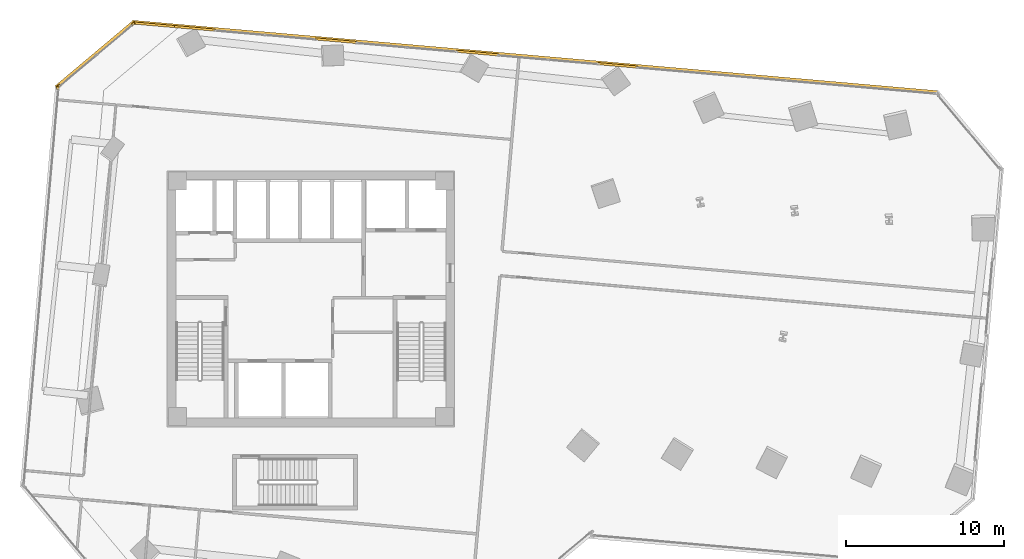
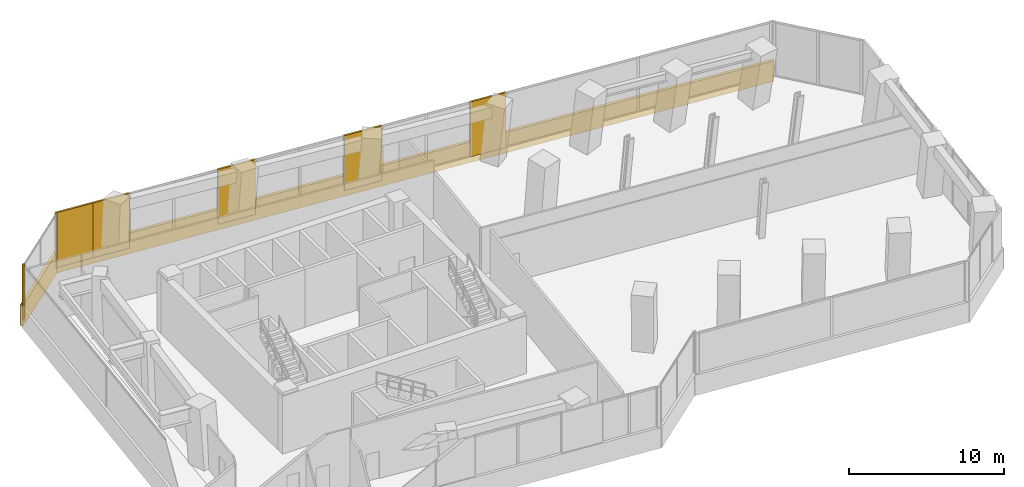
# One storey, part 24 of 24: 10 coverings.
"""IFC4 building model written with IfcOpenShell, lengths in metres."""

import ifcopenshell
import ifcopenshell.guid

model = None  # the IFC model being written
_history = None  # IfcOwnerHistory: only IFC2X3 demands one
_inside = {}  # id of a spatial element -> (the spatial element, [elements in it])
_under = {}  # id of a project, library or spatial element -> (it, [spatial elements below it])
_declared = {}  # id of a project -> (the project, [libraries it declares])
_typed = {}  # id of a type object -> (the type object, [elements of that type])
_made_of = {}  # id of a material, layer set ... -> (it, [elements and type objects made of it])


def new_model(schema):
    """Start an empty IFC model of exactly this schema.

    Asked for "IFC4X3", IfcOpenShell would pick the latest addendum, in which some entities
    have other attributes; the version numbers below select the first issue.
    IFC2X3 requires an IfcOwnerHistory on every rooted entity: one is made here for all.
    """
    global model, _history
    if schema == "IFC4X3":
        model = ifcopenshell.file(schema_version=(4, 3, 0, 0))
    else:
        model = ifcopenshell.file(schema=schema)
    _inside.clear()
    _under.clear()
    _declared.clear()
    _typed.clear()
    _made_of.clear()
    _history = None
    if model.schema == "IFC2X3":
        org = make("IfcOrganization", Name="unknown")
        user = make(
            "IfcPersonAndOrganization",
            ThePerson=make("IfcPerson", FamilyName="unknown"),
            TheOrganization=org,
        )
        app = make(
            "IfcApplication",
            ApplicationDeveloper=org,
            Version="unknown",
            ApplicationFullName="unknown",
            ApplicationIdentifier="unknown",
        )
        _history = make(
            "IfcOwnerHistory",
            OwningUser=user,
            OwningApplication=app,
            ChangeAction="ADDED",
            CreationDate=0,
        )
    return model


def make(cls, **values):
    """One entity of the class cls with the attributes given. An attribute that is None is left unset."""
    return model.create_entity(
        cls, **{name: value for name, value in values.items() if value is not None}
    )


def rooted(cls, **values):
    """An entity with a GlobalId (a new one), such as an element, a storey or a relation."""
    return make(cls, GlobalId=ifcopenshell.guid.new(), OwnerHistory=_history, **values)


def si_unit(unit_type, name, prefix=None):
    """IfcSIUnit, for example si_unit("LENGTHUNIT", "METRE", prefix="MILLI")."""
    return make("IfcSIUnit", UnitType=unit_type, Prefix=prefix, Name=name)


def assignment(units):
    """IfcUnitAssignment: the units of a project."""
    return None if units is None else make("IfcUnitAssignment", Units=units)


def point(xyz):
    """IfcCartesianPoint."""
    return None if xyz is None else make("IfcCartesianPoint", Coordinates=xyz)


def direction(xyz):
    """IfcDirection."""
    return None if xyz is None else make("IfcDirection", DirectionRatios=xyz)


def frame(location, z_axis=None, x_axis=None):
    """IfcAxis2Placement3D, a coordinate frame: its origin and axes. An axis left out is left unset."""
    return make(
        "IfcAxis2Placement3D",
        Location=point(location),
        Axis=direction(z_axis),
        RefDirection=direction(x_axis),
    )


def frame_2d(location, x_axis=None):
    """IfcAxis2Placement2D, a coordinate frame in the plane: its origin and x axis."""
    return make(
        "IfcAxis2Placement2D", Location=point(location), RefDirection=direction(x_axis)
    )


def origin():
    """The frame at (0, 0, 0) with its axes left unset."""
    return frame((0.0, 0.0, 0.0))


def origin_2d():
    """The frame at (0, 0) in the plane with its x axis left unset."""
    return frame_2d((0.0, 0.0))


def place(relative_to, where):
    """IfcLocalPlacement: puts the frame where relative to a parent placement (None: the world)."""
    return make(
        "IfcLocalPlacement", PlacementRelTo=relative_to, RelativePlacement=where
    )


def context(
    kind, dimensions, precision=None, world=None, true_north=None, identifier=None
):
    """IfcGeometricRepresentationContext, for example the 3D "Model" context."""
    return make(
        "IfcGeometricRepresentationContext",
        ContextIdentifier=identifier,
        ContextType=kind,
        CoordinateSpaceDimension=dimensions,
        Precision=precision,
        WorldCoordinateSystem=world,
        TrueNorth=true_north,
    )


def subcontext(parent, identifier, kind, view, scale=None):
    """IfcGeometricRepresentationSubContext, for example "Body" below "Model"."""
    return make(
        "IfcGeometricRepresentationSubContext",
        ContextIdentifier=identifier,
        ContextType=kind,
        ParentContext=parent,
        TargetScale=scale,
        TargetView=view,
    )


def project(units=None, contexts=None):
    """IfcProject with its units and contexts."""
    return rooted(
        "IfcProject",
        Name="project",
        RepresentationContexts=contexts,
        UnitsInContext=assignment(units),
    )


def spatial(cls, under=None, at=None, **own):
    """A site, building, storey or space (cls), placed at a placement, below another one or the project."""
    s = rooted(cls, ObjectPlacement=at, **own)
    if under is not None:
        _under.setdefault(under.id(), (under, []))[1].append(s)
    return s


def profile(cls, at=None, kind="AREA", **sizes):
    """A parametric profile (cls). Its sizes go by their IFC names, for example OverallWidth=200.0."""
    return make(cls, ProfileType=kind, Position=at, **sizes)


def rectangle(**sizes):
    """IfcRectangleProfileDef."""
    return profile("IfcRectangleProfileDef", **sizes)


def extrude(swept, where, along, depth):
    """IfcExtrudedAreaSolid: the profile swept, set in the frame where, extruded along a direction by depth."""
    return make(
        "IfcExtrudedAreaSolid",
        SweptArea=swept,
        Position=where,
        ExtrudedDirection=direction(along),
        Depth=depth,
    )


def shape(context_of_items, identifier, shape_type, items):
    """IfcShapeRepresentation: the items that make up one representation, for example the "Body"."""
    return make(
        "IfcShapeRepresentation",
        ContextOfItems=context_of_items,
        RepresentationIdentifier=identifier,
        RepresentationType=shape_type,
        Items=items,
    )


def source(mapping_origin, context_of_items, identifier, shape_type, items):
    """IfcRepresentationMap: a shape defined once, which mapped items show again and again."""
    return make(
        "IfcRepresentationMap",
        MappingOrigin=mapping_origin,
        MappedRepresentation=shape(context_of_items, identifier, shape_type, items),
    )


def transform(
    local_origin,
    x_axis=None,
    y_axis=None,
    z_axis=None,
    scale=None,
    scale2=None,
    scale3=None,
    uniform=True,
):
    """IfcCartesianTransformationOperator3D, or its non-uniform kind. x_axis, y_axis, z_axis: its Axis1, 2, 3."""
    if uniform:
        return make(
            "IfcCartesianTransformationOperator3D",
            Axis1=direction(x_axis),
            Axis2=direction(y_axis),
            LocalOrigin=point(local_origin),
            Scale=scale,
            Axis3=direction(z_axis),
        )
    return make(
        "IfcCartesianTransformationOperator3DnonUniform",
        Axis1=direction(x_axis),
        Axis2=direction(y_axis),
        LocalOrigin=point(local_origin),
        Scale=scale,
        Axis3=direction(z_axis),
        Scale2=scale2,
        Scale3=scale3,
    )


def mapped(mapping_source, mapping_target):
    """IfcMappedItem: shows the shape of a source again, moved by a transform."""
    return make(
        "IfcMappedItem", MappingSource=mapping_source, MappingTarget=mapping_target
    )


def material(Name=None, Category=None):
    """IfcMaterial."""
    return make("IfcMaterial", Name=Name, Category=Category)


def layer(
    of_material, thickness, ventilated=None, Name=None, Category=None, Priority=None
):
    """IfcMaterialLayer: one layer of a wall or slab, of a material (None: an air gap)."""
    return make(
        "IfcMaterialLayer",
        Material=of_material,
        LayerThickness=thickness,
        IsVentilated=ventilated,
        Name=Name,
        Category=Category,
        Priority=Priority,
    )


def layer_set(layers, Name=None):
    """IfcMaterialLayerSet."""
    return make("IfcMaterialLayerSet", MaterialLayers=layers, LayerSetName=Name)


def made_of(thing, what):
    """Note that an element or type object is made of a material, layer set ...; save() writes the relation."""
    if what is not None:
        _made_of.setdefault(what.id(), (what, []))[1].append(thing)
    return thing


def type_object(cls, material=None, **own):
    """A type object (cls), such as IfcWallType, which elements share."""
    return made_of(rooted(cls, **own), material)


def element(
    cls,
    number,
    at=None,
    inside=None,
    cuts=None,
    type_object=None,
    material=None,
    context=None,
    identifier="Body",
    shape_type=None,
    held_by="IfcProductDefinitionShape",
    body=None,
    shapes=None,
    **own,
):
    """One element of the class cls, such as IfcWall. Its Tag is "e" and its number.

    at: its placement. inside: the storey or other place that contains it. cuts: it is an
    opening in that element (IfcRelVoidsElement). A single representation is given by context,
    identifier, shape_type and body (its items); several are given by shapes. held_by: the class
    of the entity that holds the representations. save() writes the other relations.
    """
    e = rooted(cls, Tag="e%d" % number, ObjectPlacement=at, **own)
    if body is not None:
        shapes = [shape(context, identifier, shape_type, body)]
    if shapes is not None:
        e.Representation = make(held_by, Representations=shapes)
    if inside is not None:
        _inside.setdefault(inside.id(), (inside, []))[1].append(e)
    if cuts is not None:
        rooted(
            "IfcRelVoidsElement", RelatingBuildingElement=cuts, RelatedOpeningElement=e
        )
    if type_object is not None:
        _typed.setdefault(type_object.id(), (type_object, []))[1].append(e)
    return made_of(e, material)


def aggregate(whole, parts):
    """IfcRelAggregates: a whole, such as a stair, and the parts it consists of."""
    return rooted("IfcRelAggregates", RelatingObject=whole, RelatedObjects=parts)


def save(model, path):
    """Write the relations noted so far, then the file.

    IfcRelAggregates (storeys below a building ...), IfcRelContainedInSpatialStructure (elements
    in a storey), IfcRelDefinesByType, IfcRelAssociatesMaterial and IfcRelDeclares: one each for
    every whole, place, type object, material and project.
    """
    for whole, parts in _under.values():
        aggregate(whole, parts)
    for where, things in _inside.values():
        rooted(
            "IfcRelContainedInSpatialStructure",
            RelatedElements=things,
            RelatingStructure=where,
        )
    for kind, things in _typed.values():
        rooted("IfcRelDefinesByType", RelatedObjects=things, RelatingType=kind)
    for what, things in _made_of.values():
        rooted("IfcRelAssociatesMaterial", RelatedObjects=things, RelatingMaterial=what)
    for by, libraries in _declared.values():
        rooted("IfcRelDeclares", RelatingContext=by, RelatedDefinitions=libraries)
    model.write(path)


model = new_model("IFC4")

# Units and contexts
model_context = context("Model", 3, precision=1e-05, world=origin(), true_north=direction((0.0, 1.0)))
body_context = subcontext(model_context, "Body", "Model", "MODEL_VIEW")
ifc_project = project(units=[si_unit("LENGTHUNIT", "METRE"), si_unit("AREAUNIT", "SQUARE_METRE"), si_unit("VOLUMEUNIT", "CUBIC_METRE"), si_unit("PLANEANGLEUNIT", "RADIAN"), si_unit("MASSUNIT", "GRAM", prefix="KILO")], contexts=[model_context])

# Site, building, storey
site_placement = place(None, origin())
site = spatial("IfcSite", under=ifc_project, at=site_placement, CompositionType="ELEMENT")
building_placement = place(site_placement, origin())
building = spatial("IfcBuilding", under=site, at=building_placement, Name="Torre Montelarca", CompositionType="ELEMENT")
storey_placement = place(building_placement, frame((0.0, 0.0, 52.0)))
storey = spatial("IfcBuildingStorey", under=building, at=storey_placement, Name="L11", CompositionType="ELEMENT", Elevation=52.0)

# Coverings
ifc_material = material(Name="Bush-hammered warm white precast concrete C45/55", Category="concrete")
ifc_layer = layer(ifc_material, 0.139892578125, Name="Bush-hammered warm white precast concrete C45/55", Category="concrete")
ifc_layer_set = layer_set([ifc_layer], Name="Bush-hammered warm white precast concrete C45/55")
covering_type = type_object("IfcCoveringType", Name="COV-TRAY-CLAD", PredefinedType="CLADDING", material=ifc_layer_set)
shared_shape_1 = source(origin(), body_context, "Body", "SweptSolid", [
    extrude(rectangle(XDim=0.199951171875, YDim=0.139892578125, at=origin_2d()), origin(), (0.0, 0.0, 1.0), 4.320068359375),
])
for number, where, z_axis, x_axis, name in (
    (1, (6.74267578125, 49.406982421875, 0.0), (0.0, 0.0, 1.0), (-0.76603883371, -0.642794294661, 0.0), "L11 Architectural Column Pier Cladding E09-1"),
    (2, (2.045166015625, 45.465087890625, 0.0), (0.0, 0.0, 1.0), (-0.76603883371, -0.642794294661, 0.0), "L11 Architectural Column Pier Cladding E09-2"),
    (3, (1.97802734375, 45.336181640625, 0.0), (0.0, 0.0, 1.0), (-0.08716095881, -0.996194241732, 0.0), "L11 Architectural Column Pier Cladding E10-1"),
):
    element("IfcCovering", number, at=place(storey_placement, frame(where, z_axis=z_axis, x_axis=x_axis)), inside=storey, type_object=covering_type, Name=name, PredefinedType="CLADDING", context=body_context, shape_type="MappedRepresentation", body=[
        mapped(shared_shape_1, transform((0.0, 0.0, 0.0), scale=1.0)),
    ])
shared_shape_2 = source(origin(), body_context, "Body", "SweptSolid", [
    extrude(rectangle(XDim=6.48388671875, YDim=0.219970703125, at=origin_2d()), origin(), (0.0, 0.0, 1.0), 1.6201171875),
])
covering_1_placement = place(storey_placement, frame((4.355224609375, 47.48193359375, -0.449951171875), z_axis=(0.0, 0.0, 1.0), x_axis=(-0.766044443119, -0.642787609687, 0.0)))
element("IfcCovering", 4, at=covering_1_placement, inside=storey, type_object=covering_type, Name="L11 Architectural White Spandrel Tray Band TRYBOT-09", PredefinedType="CLADDING", context=body_context, shape_type="MappedRepresentation", body=[
    mapped(shared_shape_2, transform((0.0, 0.0, 0.0), scale=1.0)),
])
shared_shape_3 = source(origin(), body_context, "Body", "SweptSolid", [
    extrude(rectangle(XDim=51.219970703125, YDim=0.219970703125, at=origin_2d()), origin(), (0.0, 0.0, 1.0), 1.6201171875),
])
covering_2_placement = place(storey_placement, frame((32.2236328125, 47.293701171875, -0.449951171875), z_axis=(0.0, 0.0, 1.0), x_axis=(-0.996194545975, 0.087157481435, 0.0)))
element("IfcCovering", 5, at=covering_2_placement, inside=storey, type_object=covering_type, Name="L11 Architectural White Spandrel Tray Band TRYBOT-08", PredefinedType="CLADDING", context=body_context, shape_type="MappedRepresentation", body=[
    mapped(shared_shape_3, transform((0.0, 0.0, 0.0), scale=1.0)),
])
shared_shape_4 = source(origin(), body_context, "Body", "SweptSolid", [
    extrude(rectangle(XDim=2.689208984375, YDim=0.139892578125, at=origin_2d()), origin(), (0.0, 0.0, 1.0), 4.320068359375),
])
covering_3_placement = place(storey_placement, frame((28.547119140625, 47.554931640625, 0.0), z_axis=(0.0, 0.0, 1.0), x_axis=(-0.996194545975, 0.087157481435, 0.0)))
element("IfcCovering", 6, at=covering_3_placement, inside=storey, type_object=covering_type, Name="L11 Architectural Column Pier Cladding E08-3", PredefinedType="CLADDING", context=body_context, shape_type="MappedRepresentation", body=[
    mapped(shared_shape_4, transform((0.0, 0.0, 0.0), scale=1.0)),
])
shared_shape_5 = source(origin(), body_context, "Body", "SweptSolid", [
    extrude(rectangle(XDim=2.69140625, YDim=0.139892578125, at=origin_2d()), origin(), (0.0, 0.0, 1.0), 4.320068359375),
])
covering_4_placement = place(storey_placement, frame((19.58251953125, 48.33935546875, 0.0), z_axis=(0.0, 0.0, 1.0), x_axis=(-0.996194545975, 0.087157481435, 0.0)))
element("IfcCovering", 7, at=covering_4_placement, inside=storey, type_object=covering_type, Name="L11 Architectural Column Pier Cladding E08-4", PredefinedType="CLADDING", context=body_context, shape_type="MappedRepresentation", body=[
    mapped(shared_shape_5, transform((0.0, 0.0, 0.0), scale=1.0)),
])
shared_shape_6 = source(origin(), body_context, "Body", "SweptSolid", [
    extrude(rectangle(XDim=2.60400390625, YDim=0.139892578125, at=origin_2d()), origin(), (0.0, 0.0, 1.0), 4.320068359375),
])
covering_5_placement = place(storey_placement, frame((8.07861328125, 49.345703125, 0.0), z_axis=(0.0, 0.0, 1.0), x_axis=(-0.996194545975, 0.087157481435, 0.0)))
element("IfcCovering", 8, at=covering_5_placement, inside=storey, type_object=covering_type, Name="L11 Architectural Column Pier Cladding E08-6", PredefinedType="CLADDING", context=body_context, shape_type="MappedRepresentation", body=[
    mapped(shared_shape_6, transform((0.0, 0.0, 0.0), scale=1.0)),
])
shared_shape_7 = source(origin(), body_context, "Body", "SweptSolid", [
    extrude(rectangle(XDim=2.523681640625, YDim=0.139892578125, at=origin_2d()), origin(), (0.0, 0.0, 1.0), 4.320068359375),
])
covering_6_placement = place(storey_placement, frame((37.430419921875, 46.77783203125, 0.0), z_axis=(0.0, 0.0, 1.0), x_axis=(-0.996194545975, 0.087157481435, 0.0)))
element("IfcCovering", 9, at=covering_6_placement, inside=storey, type_object=covering_type, Name="L11 Architectural Column Pier Cladding E08-2", PredefinedType="CLADDING", context=body_context, shape_type="MappedRepresentation", body=[
    mapped(shared_shape_7, transform((0.0, 0.0, 0.0), scale=1.0)),
])
shared_shape_8 = source(origin(), body_context, "Body", "SweptSolid", [
    extrude(rectangle(XDim=2.693359375, YDim=0.139892578125, at=origin_2d()), origin(), (0.0, 0.0, 1.0), 4.320068359375),
])
covering_7_placement = place(storey_placement, frame((10.617919921875, 49.123779296875, 0.0), z_axis=(0.0, 0.0, 1.0), x_axis=(-0.996194545975, 0.087157481435, 0.0)))
element("IfcCovering", 10, at=covering_7_placement, inside=storey, type_object=covering_type, Name="L11 Architectural Column Pier Cladding E08-5", PredefinedType="CLADDING", context=body_context, shape_type="MappedRepresentation", body=[
    mapped(shared_shape_8, transform((0.0, 0.0, 0.0), scale=1.0)),
])

save(model, "model.ifc")
